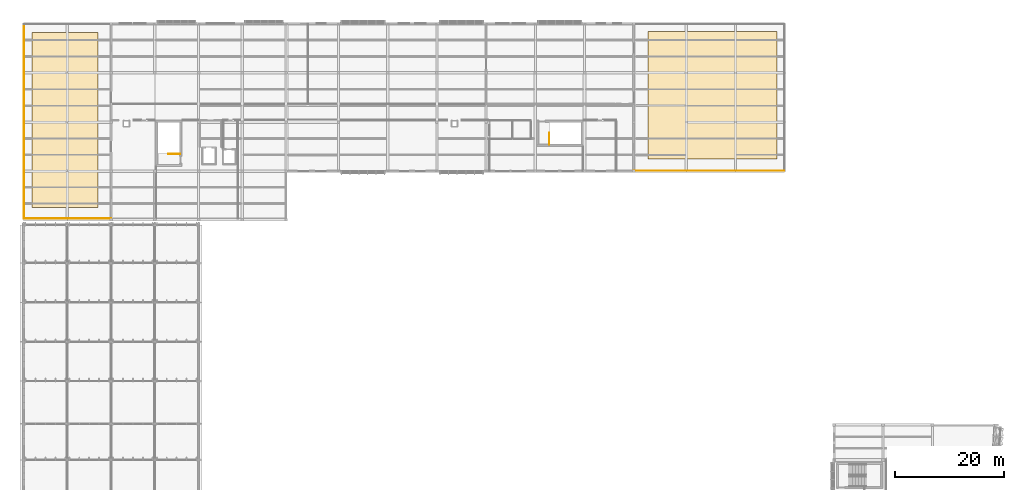
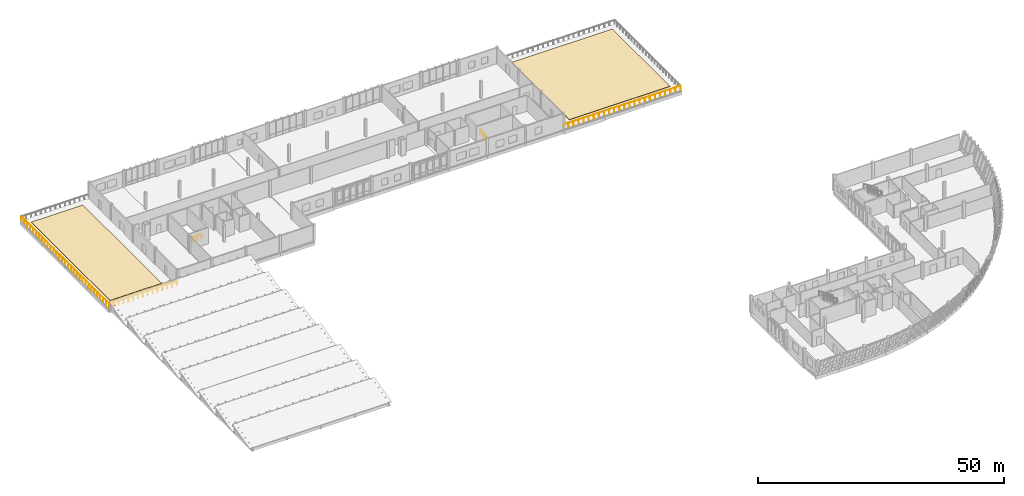
# One storey, part 92 of 94: 5 railings, 2 coverings.
"""IFC4 building model written with IfcOpenShell, lengths in metres."""

from ifc_helpers import new_model, si_unit, direction, frame, origin, origin_2d, place, context, subcontext, project, spatial, polyline, circle, outline, extrude, material, layer, layer_set, type_object, element, save


model = new_model("IFC4")

# Units and contexts
model_context = context("Model", 3, precision=1e-05, world=origin(), true_north=direction((0.0, 1.0)))
body_context = subcontext(model_context, "Body", "Model", "MODEL_VIEW")
ifc_project = project(units=[si_unit("LENGTHUNIT", "METRE"), si_unit("AREAUNIT", "SQUARE_METRE"), si_unit("VOLUMEUNIT", "CUBIC_METRE"), si_unit("PLANEANGLEUNIT", "RADIAN"), si_unit("MASSUNIT", "GRAM", prefix="KILO")], contexts=[model_context])

# Site, building, storey
site_placement = place(None, origin())
site = spatial("IfcSite", under=ifc_project, at=site_placement, CompositionType="ELEMENT")
building_placement = place(site_placement, origin())
building = spatial("IfcBuilding", under=site, at=building_placement, Name="Chiffa Square Polytechnic", CompositionType="ELEMENT")
storey_placement = place(building_placement, frame((0.0, 0.0, 18.0)))
storey = spatial("IfcBuildingStorey", under=building, at=storey_placement, Name="L04", CompositionType="ELEMENT", Elevation=18.0)

# Coverings
ifc_material_1 = material(Name="Vegetated substrate")
ifc_layer_1 = layer(ifc_material_1, 0.1201171875, Name="Vegetated substrate")
ifc_layer_set_1 = layer_set([ifc_layer_1], Name="Vegetated substrate")
covering_type = type_object("IfcCoveringType", Name="COV-GARDEN-300", PredefinedType="ROOFING", material=ifc_layer_set_1)
covering_1_placement = place(storey_placement, origin())
element("IfcCovering", 1, at=covering_1_placement, inside=storey, type_object=covering_type, Name="Planted Mediterranean roof garden GD-V5-L04E", PredefinedType="ROOFING", context=body_context, shape_type="SweptSolid", body=[
    extrude(outline(polyline([(114.199951171875, 106.0), (137.800048828125, 106.0), (137.800048828125, 129.39990234375), (114.199951171875, 129.39990234375), (114.199951171875, 106.0)])), origin(), (0.0, 0.0, 1.0), 0.1201171875),
])
covering_2_placement = place(storey_placement, origin())
element("IfcCovering", 2, at=covering_2_placement, inside=storey, type_object=covering_type, Name="Planted Mediterranean roof garden GD-V5-L04W", PredefinedType="ROOFING", context=body_context, shape_type="SweptSolid", body=[
    extrude(outline(polyline([(1.5, 97.199951171875), (13.60009765625, 97.199951171875), (13.60009765625, 129.199951171875), (1.5, 129.199951171875), (1.5, 97.199951171875)])), origin(), (0.0, 0.0, 1.0), 0.1201171875),
])

# Railings
ifc_material_2 = material(Name="Steel S355", Category="steel")
ifc_layer_2 = layer(ifc_material_2, 0.050048828125, Name="Steel S355")
ifc_layer_set_2 = layer_set([ifc_layer_2], Name="Steel S355")
railing_type_1 = type_object("IfcRailingType", Name="RL-STAIR-GUARD", PredefinedType="GUARDRAIL", material=ifc_layer_set_2)
railing_1_placement = place(storey_placement, frame((28.60009765625, 106.949951171875, 0.0)))
element("IfcRailing", 3, at=railing_1_placement, inside=storey, type_object=railing_type_1, Name="L04 ST-V5A top well guard 1", PredefinedType="GUARDRAIL", context=body_context, shape_type="SweptSolid", body=[
    extrude(circle(Radius=0.02392578125, at=origin_2d()), frame((0.0, 0.0, 1.076171875), z_axis=(-1.0, 0.0, 0.0), x_axis=(0.0, -1.0, 0.0)), (0.0, 0.0, 1.0), 2.150146484375),
    extrude(circle(Radius=0.02099609375, at=origin_2d()), origin(), (0.0, 0.0, 1.0), 1.052001953125),
    extrude(circle(Radius=0.02099609375, at=origin_2d()), frame((-1.0751953125, 0.0, 0.0)), (0.0, 0.0, 1.0), 1.052001953125),
    extrude(circle(Radius=0.02099609375, at=origin_2d()), frame((-2.150146484375, 0.0, 0.0)), (0.0, 0.0, 1.0), 1.052001953125),
])
railing_2_placement = place(storey_placement, frame((96.14990234375, 108.699951171875, 0.0)))
element("IfcRailing", 4, at=railing_2_placement, inside=storey, type_object=railing_type_1, Name="L04 ST-V5B top well guard 1", PredefinedType="GUARDRAIL", context=body_context, shape_type="SweptSolid", body=[
    extrude(circle(Radius=0.02392578125, at=origin_2d()), frame((0.0, 0.0, 1.076171875), z_axis=(0.0, 1.0, 0.0), x_axis=(-1.0, 0.0, 0.0)), (0.0, 0.0, 1.0), 2.150146484375),
    extrude(circle(Radius=0.02099609375, at=origin_2d()), origin(), (0.0, 0.0, 1.0), 1.052001953125),
    extrude(circle(Radius=0.02099609375, at=origin_2d()), frame((0.0, 1.0751953125, 0.0)), (0.0, 0.0, 1.0), 1.052001953125),
    extrude(circle(Radius=0.02099609375, at=origin_2d()), frame((0.0, 2.150146484375, 0.0)), (0.0, 0.0, 1.0), 1.052001953125),
])
ifc_layer_3 = layer(ifc_material_2, 0.06005859375, Name="Steel S355")
ifc_layer_set_3 = layer_set([ifc_layer_3], Name="Steel S355")
railing_type_2 = type_object("IfcRailingType", Name="RL-TERR-1100", PredefinedType="BALUSTRADE", material=ifc_layer_set_3)
railing_3_placement = place(storey_placement, frame((111.60009765625, 103.89990234375, 0.0)))
element("IfcRailing", 5, at=railing_3_placement, inside=storey, type_object=railing_type_2, Name="Terrace safety guard GR-TERR-V5-L04E-1", PredefinedType="BALUSTRADE", context=body_context, shape_type="SweptSolid", body=[
    extrude(circle(Radius=0.02392578125, at=origin_2d()), frame((0.0, 0.0, 1.076171875), z_axis=(1.0, 0.0, 0.0), x_axis=(0.0, 1.0, 0.0)), (0.0, 0.0, 1.0), 27.5),
    extrude(circle(Radius=0.02099609375, at=origin_2d()), origin(), (0.0, 0.0, 1.0), 1.052001953125),
    extrude(circle(Radius=0.02099609375, at=origin_2d()), frame((1.195556640625, 0.0, 0.0)), (0.0, 0.0, 1.0), 1.052001953125),
    extrude(circle(Radius=0.02099609375, at=origin_2d()), frame((2.391357421875, 0.0, 0.0)), (0.0, 0.0, 1.0), 1.052001953125),
    extrude(circle(Radius=0.02099609375, at=origin_2d()), frame((3.5869140625, 0.0, 0.0)), (0.0, 0.0, 1.0), 1.052001953125),
    extrude(circle(Radius=0.02099609375, at=origin_2d()), frame((4.78271484375, 0.0, 0.0)), (0.0, 0.0, 1.0), 1.052001953125),
    extrude(circle(Radius=0.02099609375, at=origin_2d()), frame((5.978271484375, 0.0, 0.0)), (0.0, 0.0, 1.0), 1.052001953125),
    extrude(circle(Radius=0.02099609375, at=origin_2d()), frame((7.173828125, 0.0, 0.0)), (0.0, 0.0, 1.0), 1.052001953125),
    extrude(circle(Radius=0.02099609375, at=origin_2d()), frame((8.36962890625, 0.0, 0.0)), (0.0, 0.0, 1.0), 1.052001953125),
    extrude(circle(Radius=0.02099609375, at=origin_2d()), frame((9.565185546875, 0.0, 0.0)), (0.0, 0.0, 1.0), 1.052001953125),
    extrude(circle(Radius=0.02099609375, at=origin_2d()), frame((10.760986328125, 0.0, 0.0)), (0.0, 0.0, 1.0), 1.052001953125),
    extrude(circle(Radius=0.02099609375, at=origin_2d()), frame((11.95654296875, 0.0, 0.0)), (0.0, 0.0, 1.0), 1.052001953125),
    extrude(circle(Radius=0.02099609375, at=origin_2d()), frame((13.152099609375, 0.0, 0.0)), (0.0, 0.0, 1.0), 1.052001953125),
    extrude(circle(Radius=0.02099609375, at=origin_2d()), frame((14.347900390625, 0.0, 0.0)), (0.0, 0.0, 1.0), 1.052001953125),
    extrude(circle(Radius=0.02099609375, at=origin_2d()), frame((15.54345703125, 0.0, 0.0)), (0.0, 0.0, 1.0), 1.052001953125),
    extrude(circle(Radius=0.02099609375, at=origin_2d()), frame((16.739013671875, 0.0, 0.0)), (0.0, 0.0, 1.0), 1.052001953125),
    extrude(circle(Radius=0.02099609375, at=origin_2d()), frame((17.934814453125, 0.0, 0.0)), (0.0, 0.0, 1.0), 1.052001953125),
    extrude(circle(Radius=0.02099609375, at=origin_2d()), frame((19.13037109375, 0.0, 0.0)), (0.0, 0.0, 1.0), 1.052001953125),
    extrude(circle(Radius=0.02099609375, at=origin_2d()), frame((20.326171875, 0.0, 0.0)), (0.0, 0.0, 1.0), 1.052001953125),
    extrude(circle(Radius=0.02099609375, at=origin_2d()), frame((21.521728515625, 0.0, 0.0)), (0.0, 0.0, 1.0), 1.052001953125),
    extrude(circle(Radius=0.02099609375, at=origin_2d()), frame((22.71728515625, 0.0, 0.0)), (0.0, 0.0, 1.0), 1.052001953125),
    extrude(circle(Radius=0.02099609375, at=origin_2d()), frame((23.9130859375, 0.0, 0.0)), (0.0, 0.0, 1.0), 1.052001953125),
    extrude(circle(Radius=0.02099609375, at=origin_2d()), frame((25.108642578125, 0.0, 0.0)), (0.0, 0.0, 1.0), 1.052001953125),
    extrude(circle(Radius=0.02099609375, at=origin_2d()), frame((26.304443359375, 0.0, 0.0)), (0.0, 0.0, 1.0), 1.052001953125),
    extrude(circle(Radius=0.02099609375, at=origin_2d()), frame((27.5, 0.0, 0.0)), (0.0, 0.0, 1.0), 1.052001953125),
])
railing_4_placement = place(storey_placement, frame((16.0, 95.14990234375, 0.0)))
element("IfcRailing", 6, at=railing_4_placement, inside=storey, type_object=railing_type_2, Name="Terrace safety guard GR-TERR-V5-L04W-1", PredefinedType="BALUSTRADE", context=body_context, shape_type="SweptSolid", body=[
    extrude(circle(Radius=0.02392578125, at=origin_2d()), frame((0.0, 0.0, 1.076171875), z_axis=(-1.0, 0.0, 0.0), x_axis=(0.0, -1.0, 0.0)), (0.0, 0.0, 1.0), 15.89990234375),
    extrude(circle(Radius=0.02099609375, at=origin_2d()), origin(), (0.0, 0.0, 1.0), 1.052001953125),
    extrude(circle(Radius=0.02099609375, at=origin_2d()), frame((-1.1357421875, 0.0, 0.0)), (0.0, 0.0, 1.0), 1.052001953125),
    extrude(circle(Radius=0.02099609375, at=origin_2d()), frame((-2.271484375, 0.0, 0.0)), (0.0, 0.0, 1.0), 1.052001953125),
    extrude(circle(Radius=0.02099609375, at=origin_2d()), frame((-3.4072265625, 0.0, 0.0)), (0.0, 0.0, 1.0), 1.052001953125),
    extrude(circle(Radius=0.02099609375, at=origin_2d()), frame((-4.542724609375, 0.0, 0.0)), (0.0, 0.0, 1.0), 1.052001953125),
    extrude(circle(Radius=0.02099609375, at=origin_2d()), frame((-5.678466796875, 0.0, 0.0)), (0.0, 0.0, 1.0), 1.052001953125),
    extrude(circle(Radius=0.02099609375, at=origin_2d()), frame((-6.814208984375, 0.0, 0.0)), (0.0, 0.0, 1.0), 1.052001953125),
    extrude(circle(Radius=0.02099609375, at=origin_2d()), frame((-7.949951171875, 0.0, 0.0)), (0.0, 0.0, 1.0), 1.052001953125),
    extrude(circle(Radius=0.02099609375, at=origin_2d()), frame((-9.085693359375, 0.0, 0.0)), (0.0, 0.0, 1.0), 1.052001953125),
    extrude(circle(Radius=0.02099609375, at=origin_2d()), frame((-10.221435546875, 0.0, 0.0)), (0.0, 0.0, 1.0), 1.052001953125),
    extrude(circle(Radius=0.02099609375, at=origin_2d()), frame((-11.357177734375, 0.0, 0.0)), (0.0, 0.0, 1.0), 1.052001953125),
    extrude(circle(Radius=0.02099609375, at=origin_2d()), frame((-12.49267578125, 0.0, 0.0)), (0.0, 0.0, 1.0), 1.052001953125),
    extrude(circle(Radius=0.02099609375, at=origin_2d()), frame((-13.62841796875, 0.0, 0.0)), (0.0, 0.0, 1.0), 1.052001953125),
    extrude(circle(Radius=0.02099609375, at=origin_2d()), frame((-14.76416015625, 0.0, 0.0)), (0.0, 0.0, 1.0), 1.052001953125),
    extrude(circle(Radius=0.02099609375, at=origin_2d()), frame((-15.89990234375, 0.0, 0.0)), (0.0, 0.0, 1.0), 1.052001953125),
])
railing_5_placement = place(storey_placement, frame((0.10009765625, 95.14990234375, 0.0)))
element("IfcRailing", 7, at=railing_5_placement, inside=storey, type_object=railing_type_2, Name="Terrace safety guard GR-TERR-V5-L04W-2", PredefinedType="BALUSTRADE", context=body_context, shape_type="SweptSolid", body=[
    extrude(circle(Radius=0.02392578125, at=origin_2d()), frame((0.0, 0.0, 1.076171875), z_axis=(0.0, 1.0, 0.0), x_axis=(-1.0, 0.0, 0.0)), (0.0, 0.0, 1.0), 35.550048828125),
    extrude(circle(Radius=0.02099609375, at=origin_2d()), origin(), (0.0, 0.0, 1.0), 1.052001953125),
    extrude(circle(Radius=0.02099609375, at=origin_2d()), frame((0.0, 1.18505859375, 0.0)), (0.0, 0.0, 1.0), 1.052001953125),
    extrude(circle(Radius=0.02099609375, at=origin_2d()), frame((0.0, 2.3701171875, 0.0)), (0.0, 0.0, 1.0), 1.052001953125),
    extrude(circle(Radius=0.02099609375, at=origin_2d()), frame((0.0, 3.554931640625, 0.0)), (0.0, 0.0, 1.0), 1.052001953125),
    extrude(circle(Radius=0.02099609375, at=origin_2d()), frame((0.0, 4.739990234375, 0.0)), (0.0, 0.0, 1.0), 1.052001953125),
    extrude(circle(Radius=0.02099609375, at=origin_2d()), frame((0.0, 5.925048828125, 0.0)), (0.0, 0.0, 1.0), 1.052001953125),
    extrude(circle(Radius=0.02099609375, at=origin_2d()), frame((0.0, 7.110107421875, 0.0)), (0.0, 0.0, 1.0), 1.052001953125),
    extrude(circle(Radius=0.02099609375, at=origin_2d()), frame((0.0, 8.294921875, 0.0)), (0.0, 0.0, 1.0), 1.052001953125),
    extrude(circle(Radius=0.02099609375, at=origin_2d()), frame((0.0, 9.47998046875, 0.0)), (0.0, 0.0, 1.0), 1.052001953125),
    extrude(circle(Radius=0.02099609375, at=origin_2d()), frame((0.0, 10.6650390625, 0.0)), (0.0, 0.0, 1.0), 1.052001953125),
    extrude(circle(Radius=0.02099609375, at=origin_2d()), frame((0.0, 11.85009765625, 0.0)), (0.0, 0.0, 1.0), 1.052001953125),
    extrude(circle(Radius=0.02099609375, at=origin_2d()), frame((0.0, 13.034912109375, 0.0)), (0.0, 0.0, 1.0), 1.052001953125),
    extrude(circle(Radius=0.02099609375, at=origin_2d()), frame((0.0, 14.219970703125, 0.0)), (0.0, 0.0, 1.0), 1.052001953125),
    extrude(circle(Radius=0.02099609375, at=origin_2d()), frame((0.0, 15.405029296875, 0.0)), (0.0, 0.0, 1.0), 1.052001953125),
    extrude(circle(Radius=0.02099609375, at=origin_2d()), frame((0.0, 16.590087890625, 0.0)), (0.0, 0.0, 1.0), 1.052001953125),
    extrude(circle(Radius=0.02099609375, at=origin_2d()), frame((0.0, 17.77490234375, 0.0)), (0.0, 0.0, 1.0), 1.052001953125),
    extrude(circle(Radius=0.02099609375, at=origin_2d()), frame((0.0, 18.9599609375, 0.0)), (0.0, 0.0, 1.0), 1.052001953125),
    extrude(circle(Radius=0.02099609375, at=origin_2d()), frame((0.0, 20.14501953125, 0.0)), (0.0, 0.0, 1.0), 1.052001953125),
    extrude(circle(Radius=0.02099609375, at=origin_2d()), frame((0.0, 21.330078125, 0.0)), (0.0, 0.0, 1.0), 1.052001953125),
    extrude(circle(Radius=0.02099609375, at=origin_2d()), frame((0.0, 22.51513671875, 0.0)), (0.0, 0.0, 1.0), 1.052001953125),
    extrude(circle(Radius=0.02099609375, at=origin_2d()), frame((0.0, 23.699951171875, 0.0)), (0.0, 0.0, 1.0), 1.052001953125),
    extrude(circle(Radius=0.02099609375, at=origin_2d()), frame((0.0, 24.885009765625, 0.0)), (0.0, 0.0, 1.0), 1.052001953125),
    extrude(circle(Radius=0.02099609375, at=origin_2d()), frame((0.0, 26.070068359375, 0.0)), (0.0, 0.0, 1.0), 1.052001953125),
    extrude(circle(Radius=0.02099609375, at=origin_2d()), frame((0.0, 27.255126953125, 0.0)), (0.0, 0.0, 1.0), 1.052001953125),
    extrude(circle(Radius=0.02099609375, at=origin_2d()), frame((0.0, 28.43994140625, 0.0)), (0.0, 0.0, 1.0), 1.052001953125),
    extrude(circle(Radius=0.02099609375, at=origin_2d()), frame((0.0, 29.625, 0.0)), (0.0, 0.0, 1.0), 1.052001953125),
    extrude(circle(Radius=0.02099609375, at=origin_2d()), frame((0.0, 30.81005859375, 0.0)), (0.0, 0.0, 1.0), 1.052001953125),
    extrude(circle(Radius=0.02099609375, at=origin_2d()), frame((0.0, 31.9951171875, 0.0)), (0.0, 0.0, 1.0), 1.052001953125),
    extrude(circle(Radius=0.02099609375, at=origin_2d()), frame((0.0, 33.179931640625, 0.0)), (0.0, 0.0, 1.0), 1.052001953125),
    extrude(circle(Radius=0.02099609375, at=origin_2d()), frame((0.0, 34.364990234375, 0.0)), (0.0, 0.0, 1.0), 1.052001953125),
    extrude(circle(Radius=0.02099609375, at=origin_2d()), frame((0.0, 35.550048828125, 0.0)), (0.0, 0.0, 1.0), 1.052001953125),
])

save(model, "model.ifc")
